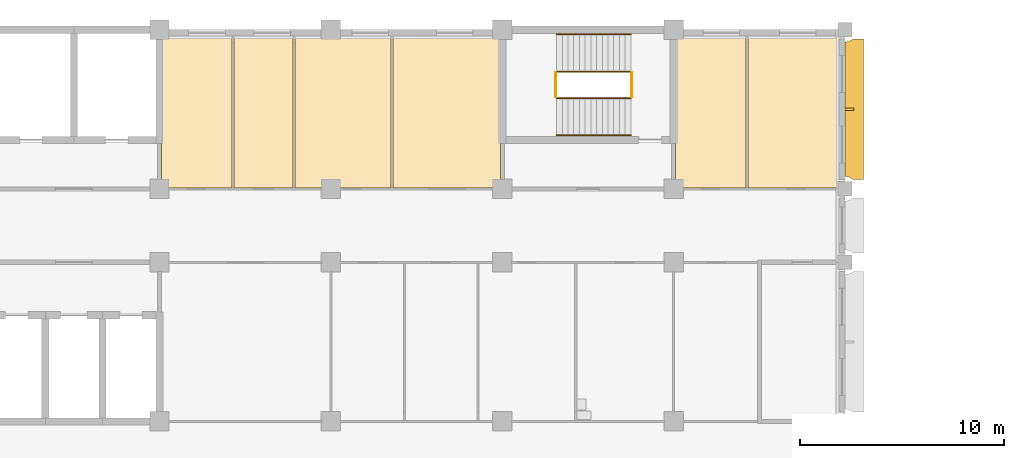
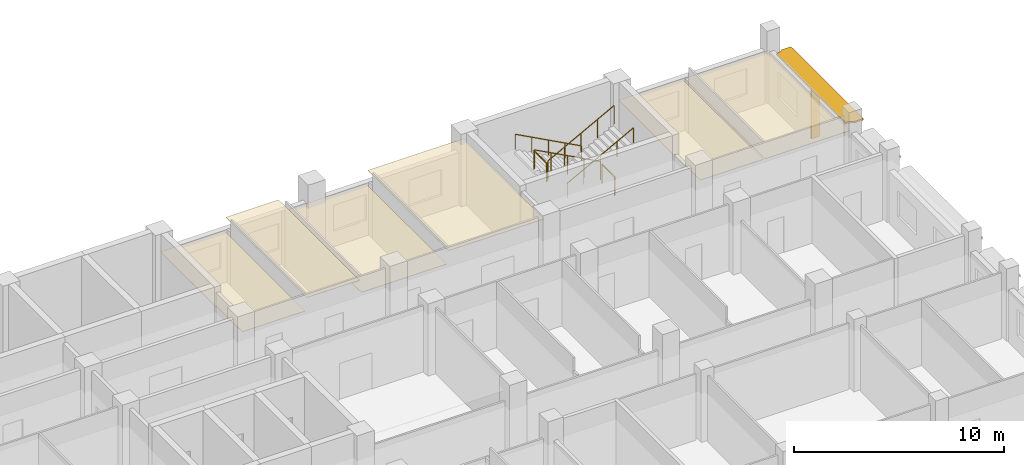
# One storey, part 108 of 109: 6 coverings, 6 railings, 2 shading devices.
"""IFC4 building model written with IfcOpenShell, lengths in metres."""

from ifc_helpers import new_model, si_unit, direction, frame, origin, origin_2d, place, context, subcontext, project, spatial, polyline, rectangle, circle, outline, extrude, material, layer, layer_set, material_profile, profile_set, type_object, element, save


model = new_model("IFC4")

# Units and contexts
model_context = context("Model", 3, precision=1e-05, world=origin(), true_north=direction((0.0, 1.0)))
body_context = subcontext(model_context, "Body", "Model", "MODEL_VIEW")
ifc_project = project(units=[si_unit("LENGTHUNIT", "METRE"), si_unit("AREAUNIT", "SQUARE_METRE"), si_unit("VOLUMEUNIT", "CUBIC_METRE"), si_unit("PLANEANGLEUNIT", "RADIAN"), si_unit("MASSUNIT", "GRAM", prefix="KILO")], contexts=[model_context])

# Site, building, storey
site_placement = place(None, origin())
site = spatial("IfcSite", under=ifc_project, at=site_placement, CompositionType="ELEMENT")
building_placement = place(site_placement, origin())
building = spatial("IfcBuilding", under=site, at=building_placement, Name="Bougainvillea Quay General Hospital", CompositionType="ELEMENT")
storey_placement = place(building_placement, frame((0.0, 0.0, 12.60009765625)))
storey = spatial("IfcBuildingStorey", under=building, at=storey_placement, Name="L02", CompositionType="ELEMENT", Elevation=12.60009765625)

# Railings
ifc_material_1 = material(Name="Stainless steel 304 balustrade", Category="steel")
railing_type_1 = type_object("IfcRailingType", Name="Stair guard 1100", PredefinedType="GUARDRAIL", material=ifc_material_1)
railing_1_placement = place(storey_placement, frame((182.699951171875, 157.550048828125, 0.14990234375)))
element("IfcRailing", 1, at=railing_1_placement, inside=storey, type_object=railing_type_1, Name="L02 ST-A4 stair guard 1", PredefinedType="GUARDRAIL", context=body_context, shape_type="SweptSolid", body=[
    extrude(circle(Radius=0.02392578125, at=origin_2d()), frame((0.0, 0.0, 1.076171875), z_axis=(-0.881479091078, 0.0, 0.472223053219), x_axis=(0.0, -1.0, 0.0)), (0.0, 0.0, 1.0), 4.12939453125),
    extrude(circle(Radius=0.02099609375, at=origin_2d()), origin(), (0.0, 0.0, 1.0), 1.052001953125),
    extrude(circle(Radius=0.02099609375, at=origin_2d()), frame((-0.909912109375, 0.0, 0.487548828125)), (0.0, 0.0, 1.0), 1.052001953125),
    extrude(circle(Radius=0.02099609375, at=origin_2d()), frame((-1.81982421875, 0.0, 0.97509765625)), (0.0, 0.0, 1.0), 1.052001953125),
    extrude(circle(Radius=0.02099609375, at=origin_2d()), frame((-2.72998046875, 0.0, 1.46240234375)), (0.0, 0.0, 1.0), 1.052001953125),
    extrude(circle(Radius=0.02099609375, at=origin_2d()), frame((-3.639892578125, 0.0, 1.949951171875)), (0.0, 0.0, 1.0), 1.052001953125),
])
railing_2_placement = place(storey_placement, frame((179.010009765625, 157.5, 2.099853515625)))
element("IfcRailing", 2, at=railing_2_placement, inside=storey, type_object=railing_type_1, Name="L02 ST-A4 stair guard 2", PredefinedType="GUARDRAIL", context=body_context, shape_type="SweptSolid", body=[
    extrude(circle(Radius=0.02392578125, at=origin_2d()), frame((0.0, 0.0, 1.076171875), z_axis=(0.0, -1.0, 0.0), x_axis=(1.0, 0.0, 0.0)), (0.0, 0.0, 1.0), 1.199951171875),
    extrude(circle(Radius=0.02099609375, at=origin_2d()), origin(), (0.0, 0.0, 1.0), 1.052001953125),
    extrude(circle(Radius=0.02099609375, at=origin_2d()), frame((0.0, -1.199951171875, 0.0)), (0.0, 0.0, 1.0), 1.052001953125),
])
railing_3_placement = place(storey_placement, frame((179.06005859375, 156.25, 2.25)))
element("IfcRailing", 3, at=railing_3_placement, inside=storey, type_object=railing_type_1, Name="L02 ST-A4 stair guard 3", PredefinedType="GUARDRAIL", context=body_context, shape_type="SweptSolid", body=[
    extrude(circle(Radius=0.02392578125, at=origin_2d()), frame((0.0, 0.0, 1.076171875), z_axis=(0.881479091078, 0.0, 0.472223053219), x_axis=(0.0, 1.0, 0.0)), (0.0, 0.0, 1.0), 4.12939453125),
    extrude(circle(Radius=0.02099609375, at=origin_2d()), origin(), (0.0, 0.0, 1.0), 1.052001953125),
    extrude(circle(Radius=0.02099609375, at=origin_2d()), frame((0.909912109375, 0.0, 0.487548828125)), (0.0, 0.0, 1.0), 1.052001953125),
    extrude(circle(Radius=0.02099609375, at=origin_2d()), frame((1.81982421875, 0.0, 0.97509765625)), (0.0, 0.0, 1.0), 1.052001953125),
    extrude(circle(Radius=0.02099609375, at=origin_2d()), frame((2.72998046875, 0.0, 1.46240234375)), (0.0, 0.0, 1.0), 1.052001953125),
    extrude(circle(Radius=0.02099609375, at=origin_2d()), frame((3.639892578125, 0.0, 1.949951171875)), (0.0, 0.0, 1.0), 1.052001953125),
])
railing_4_placement = place(storey_placement, frame((182.75, 157.5, 0.0)))
element("IfcRailing", 4, at=railing_4_placement, inside=storey, type_object=railing_type_1, Name="L02 ST-A4 stair guard 4", PredefinedType="GUARDRAIL", context=body_context, shape_type="SweptSolid", body=[
    extrude(circle(Radius=0.02392578125, at=origin_2d()), frame((0.0, 0.0, 1.076171875), z_axis=(0.0, -1.0, 0.0), x_axis=(1.0, 0.0, 0.0)), (0.0, 0.0, 1.0), 1.199951171875),
    extrude(circle(Radius=0.02099609375, at=origin_2d()), origin(), (0.0, 0.0, 1.0), 1.052001953125),
    extrude(circle(Radius=0.02099609375, at=origin_2d()), frame((0.0, -1.199951171875, 0.0)), (0.0, 0.0, 1.0), 1.052001953125),
])
ifc_material_2 = material(Name="Stainless steel 304 handrail", Category="steel")
railing_type_2 = type_object("IfcRailingType", Name="Stair handrail 900", PredefinedType="HANDRAIL", material=ifc_material_2)
railing_5_placement = place(storey_placement, frame((182.699951171875, 159.375, 0.14990234375)))
element("IfcRailing", 5, at=railing_5_placement, inside=storey, type_object=railing_type_2, Name="L02 ST-A4 stair handrail 1", PredefinedType="HANDRAIL", context=body_context, shape_type="SweptSolid", body=[
    extrude(circle(Radius=0.02392578125, at=origin_2d()), frame((0.0, 0.0, 0.8759765625), z_axis=(-0.881479091078, 0.0, 0.472223053219), x_axis=(0.0, -1.0, 0.0)), (0.0, 0.0, 1.0), 4.12939453125),
    extrude(circle(Radius=0.02099609375, at=origin_2d()), origin(), (0.0, 0.0, 1.0), 0.851806640625),
    extrude(circle(Radius=0.02099609375, at=origin_2d()), frame((-0.909912109375, 0.0, 0.487548828125)), (0.0, 0.0, 1.0), 0.851806640625),
    extrude(circle(Radius=0.02099609375, at=origin_2d()), frame((-1.81982421875, 0.0, 0.97509765625)), (0.0, 0.0, 1.0), 0.851806640625),
    extrude(circle(Radius=0.02099609375, at=origin_2d()), frame((-2.72998046875, 0.0, 1.46240234375)), (0.0, 0.0, 1.0), 0.851806640625),
    extrude(circle(Radius=0.02099609375, at=origin_2d()), frame((-3.639892578125, 0.0, 1.949951171875)), (0.0, 0.0, 1.0), 0.851806640625),
])
railing_6_placement = place(storey_placement, frame((179.06005859375, 154.425048828125, 2.25)))
element("IfcRailing", 6, at=railing_6_placement, inside=storey, type_object=railing_type_2, Name="L02 ST-A4 stair handrail 2", PredefinedType="HANDRAIL", context=body_context, shape_type="SweptSolid", body=[
    extrude(circle(Radius=0.02392578125, at=origin_2d()), frame((0.0, 0.0, 0.8759765625), z_axis=(0.881479091078, 0.0, 0.472223053219), x_axis=(0.0, 1.0, 0.0)), (0.0, 0.0, 1.0), 4.12939453125),
    extrude(circle(Radius=0.02099609375, at=origin_2d()), origin(), (0.0, 0.0, 1.0), 0.851806640625),
    extrude(circle(Radius=0.02099609375, at=origin_2d()), frame((0.909912109375, 0.0, 0.487548828125)), (0.0, 0.0, 1.0), 0.851806640625),
    extrude(circle(Radius=0.02099609375, at=origin_2d()), frame((1.81982421875, 0.0, 0.97509765625)), (0.0, 0.0, 1.0), 0.851806640625),
    extrude(circle(Radius=0.02099609375, at=origin_2d()), frame((2.72998046875, 0.0, 1.46240234375)), (0.0, 0.0, 1.0), 0.851806640625),
    extrude(circle(Radius=0.02099609375, at=origin_2d()), frame((3.639892578125, 0.0, 1.949951171875)), (0.0, 0.0, 1.0), 0.851806640625),
])

# Shading device
ifc_material_3 = material(Name="Powder-coated aluminium canopy soffit and fascia, white", Category="aluminium")
ifc_layer_1 = layer(ifc_material_3, 0.10009765625)
ifc_layer_set_1 = layer_set([ifc_layer_1], Name="Powder-coated aluminium canopy soffit and fascia, white")
shading_device_type_1 = type_object("IfcShadingDeviceType", Name="Sunshade 100", PredefinedType="USERDEFINED", material=ifc_layer_set_1)
shading_device_1_placement = place(storey_placement, frame((0.0, 0.0, 2.849853515625)))
element("IfcShadingDevice", 7, at=shading_device_1_placement, inside=storey, type_object=shading_device_type_1, Name="Sunshade 0", ObjectType="Sunshade", PredefinedType="USERDEFINED", context=body_context, shape_type="SweptSolid", body=[
    extrude(outline(polyline([(193.199951171875, 159.0), (193.199951171875, 152.39990234375), (193.317138671875, 152.388427734375), (193.4296875, 152.354248046875), (193.533447265625, 152.298828125), (193.595947265625, 152.25), (194.10009765625, 152.25), (194.10009765625, 159.14990234375), (193.595947265625, 159.14990234375), (193.533447265625, 159.10107421875), (193.4296875, 159.045654296875), (193.317138671875, 159.011474609375), (193.199951171875, 159.0)])), origin(), (0.0, 0.0, 1.0), 0.10009765625),
])

# Coverings
ifc_material_4 = material(Name="Mineral fibre ceiling tile")
ifc_layer_2 = layer(ifc_material_4, 0.030029296875)
ifc_layer_set_2 = layer_set([ifc_layer_2], Name="Mineral fibre ceiling tile")
covering_type = type_object("IfcCoveringType", Name="Suspended ceiling mineral fibre tile", PredefinedType="CEILING", material=ifc_layer_set_2)
covering_1_placement = place(storey_placement, frame((0.0, 0.0, 2.7998046875)))
element("IfcCovering", 8, at=covering_1_placement, inside=storey, type_object=covering_type, Name="Ceiling Counselling Room 01", PredefinedType="CEILING", context=body_context, shape_type="SweptSolid", body=[
    extrude(outline(polyline([(159.699951171875, 154.300048828125), (159.699951171875, 151.85009765625), (163.14990234375, 151.85009765625), (163.14990234375, 159.552001953125), (159.64990234375, 159.552001953125), (159.64990234375, 154.300048828125), (159.699951171875, 154.300048828125)])), origin(), (0.0, 0.0, 1.0), 0.030029296875),
])
covering_2_placement = place(storey_placement, frame((0.0, 0.0, 3.5498046875)))
element("IfcCovering", 9, at=covering_2_placement, inside=storey, type_object=covering_type, Name="Ceiling Chapel Accessible WC", PredefinedType="CEILING", context=body_context, shape_type="SweptSolid", body=[
    extrude(outline(polyline([(166.14990234375, 151.85009765625), (166.14990234375, 159.552001953125), (163.25, 159.552001953125), (163.25, 151.85009765625), (166.14990234375, 151.85009765625)])), origin(), (0.0, 0.0, 1.0), 0.030029296875),
])
covering_3_placement = place(storey_placement, frame((0.0, 0.0, 2.7998046875)))
element("IfcCovering", 10, at=covering_3_placement, inside=storey, type_object=covering_type, Name="Ceiling Bereavement Support Room", PredefinedType="CEILING", context=body_context, shape_type="SweptSolid", body=[
    extrude(outline(polyline([(170.949951171875, 151.85009765625), (170.949951171875, 159.552001953125), (166.25, 159.552001953125), (166.25, 151.85009765625), (170.949951171875, 151.85009765625)])), origin(), (0.0, 0.0, 1.0), 0.030029296875),
])
covering_4_placement = place(storey_placement, frame((0.0, 0.0, 3.5498046875)))
element("IfcCovering", 11, at=covering_4_placement, inside=storey, type_object=covering_type, Name="Ceiling Multi-faith Chapel", PredefinedType="CEILING", context=body_context, shape_type="SweptSolid", body=[
    extrude(outline(polyline([(176.35009765625, 154.300048828125), (176.35009765625, 159.552001953125), (171.050048828125, 159.552001953125), (171.050048828125, 151.85009765625), (176.300048828125, 151.85009765625), (176.300048828125, 154.300048828125), (176.35009765625, 154.300048828125)])), origin(), (0.0, 0.0, 1.0), 0.030029296875),
])
covering_5_placement = place(storey_placement, frame((0.0, 0.0, 2.7998046875)))
element("IfcCovering", 12, at=covering_5_placement, inside=storey, type_object=covering_type, Name="Ceiling Chaplaincy Office", PredefinedType="CEILING", context=body_context, shape_type="SweptSolid", body=[
    extrude(outline(polyline([(188.35009765625, 151.85009765625), (188.35009765625, 159.552001953125), (184.85009765625, 159.552001953125), (184.85009765625, 154.300048828125), (184.89990234375, 154.300048828125), (184.89990234375, 151.85009765625), (188.35009765625, 151.85009765625)])), origin(), (0.0, 0.0, 1.0), 0.030029296875),
])
covering_6_placement = place(storey_placement, frame((0.0, 0.0, 2.7998046875)))
element("IfcCovering", 13, at=covering_6_placement, inside=storey, type_object=covering_type, Name="Ceiling Prayer Room", PredefinedType="CEILING", context=body_context, shape_type="SweptSolid", body=[
    extrude(outline(polyline([(193.14990234375, 159.552001953125), (188.449951171875, 159.552001953125), (188.449951171875, 151.85009765625), (193.14990234375, 151.85009765625), (193.14990234375, 159.552001953125)])), origin(), (0.0, 0.0, 1.0), 0.030029296875),
])

# Shading device
ifc_material_5 = material(Name="Powder-coated aluminium fin, white", Category="aluminium")
ifc_material_profile = material_profile(ifc_material_5, rectangle(XDim=0.449951171875, YDim=0.10009765625, at=origin_2d()))
ifc_profile_set = profile_set([ifc_material_profile], Name="Powder-coated aluminium fin, white")
shading_device_type_2 = type_object("IfcShadingDeviceType", Name="Vertical fin 450x100", PredefinedType="USERDEFINED", material=ifc_profile_set)
shading_device_2_placement = place(storey_placement, frame((193.425048828125, 155.699951171875, 0.0), z_axis=(0.0, 0.0, 1.0), x_axis=(1.0, 0.0, 0.0)))
element("IfcShadingDevice", 14, at=shading_device_2_placement, inside=storey, type_object=shading_device_type_2, Name="Vertical fin 00g 1", ObjectType="Vertical fin", PredefinedType="USERDEFINED", context=body_context, shape_type="SweptSolid", body=[
    extrude(rectangle(XDim=0.449951171875, YDim=0.10009765625, at=origin_2d()), origin(), (0.0, 0.0, 1.0), 2.849853515625),
])

save(model, "model.ifc")
